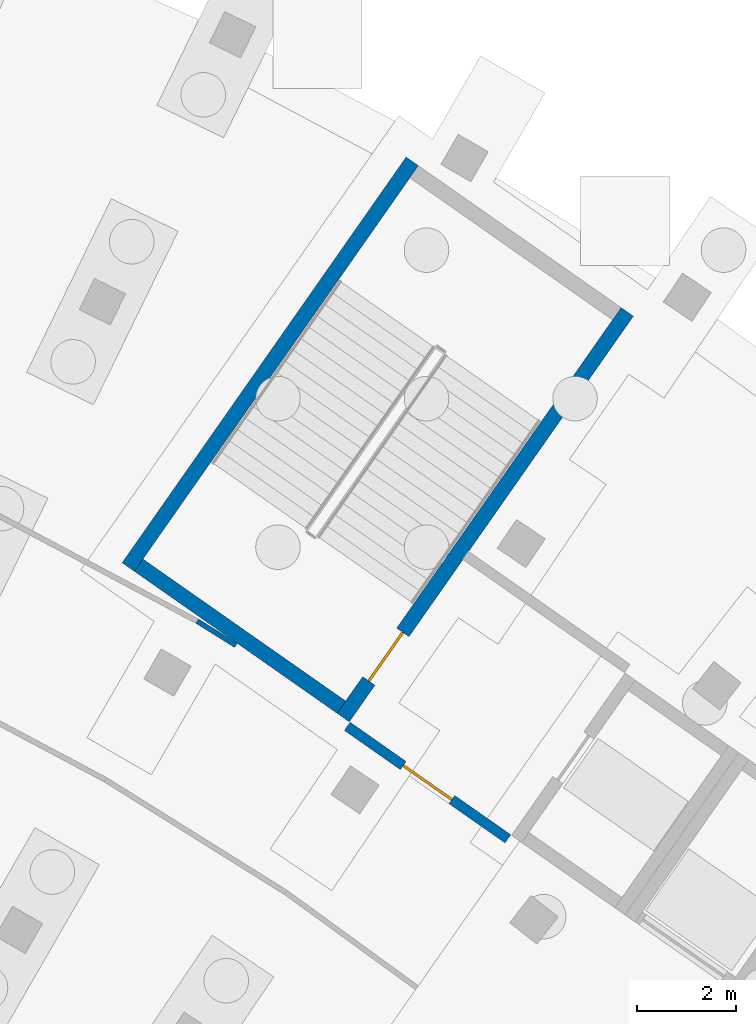
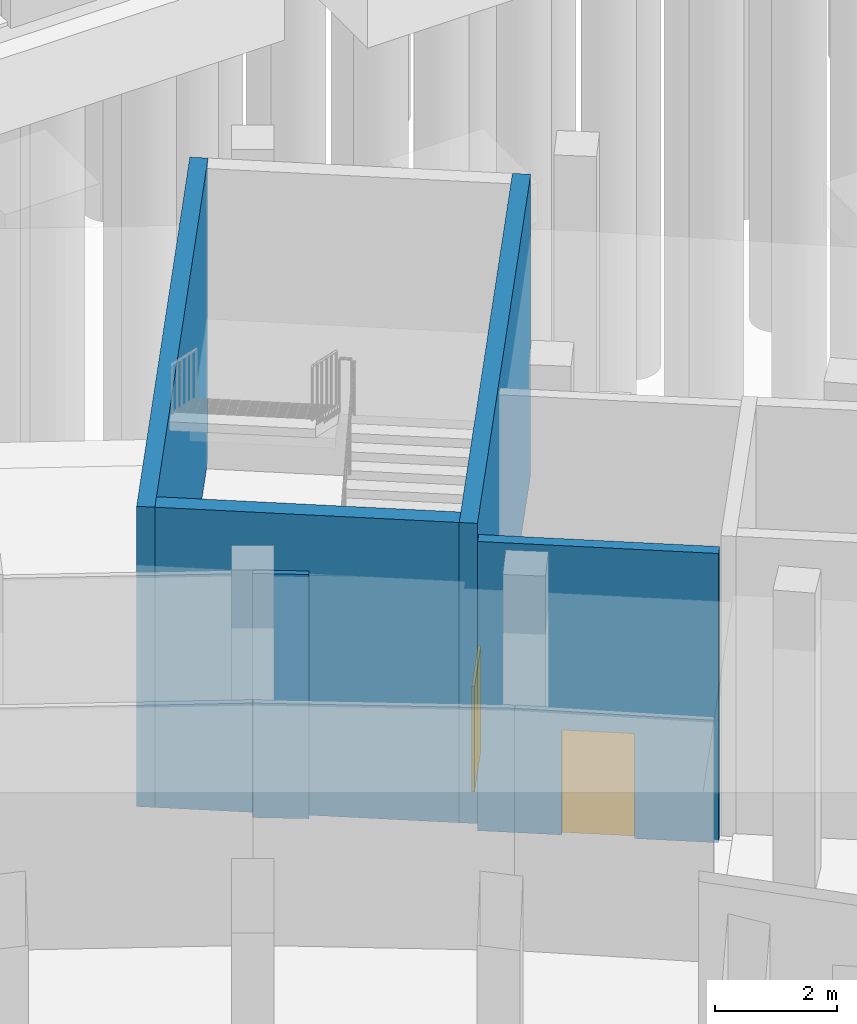
# One storey, part 23 of 66: 5 walls, 2 doors, 2 openings.
"""IFC4 building model written with IfcOpenShell, lengths in metres."""

from ifc_helpers import new_model, si_unit, direction, frame, frame_2d, origin, place, context, subcontext, project, spatial, rectangle, extrude, material, layer, layer_set, type_object, element, fill, save


model = new_model("IFC4")

# Units and contexts
model_context = context("Model", 3, precision=1e-05, world=origin(), true_north=direction((0.0, 1.0)))
body_context = subcontext(model_context, "Body", "Model", "MODEL_VIEW")
ifc_project = project(units=[si_unit("LENGTHUNIT", "METRE"), si_unit("AREAUNIT", "SQUARE_METRE"), si_unit("VOLUMEUNIT", "CUBIC_METRE"), si_unit("PLANEANGLEUNIT", "RADIAN"), si_unit("MASSUNIT", "GRAM", prefix="KILO")], contexts=[model_context])

# Site, building, storey
site_placement = place(None, origin())
site = spatial("IfcSite", under=ifc_project, at=site_placement, CompositionType="ELEMENT")
building_placement = place(site_placement, origin())
building = spatial("IfcBuilding", under=site, at=building_placement, Name="Lunette Opera House", CompositionType="ELEMENT")
storey_placement = place(building_placement, frame((0.0, 0.0, -6.0)))
storey = spatial("IfcBuildingStorey", under=building, at=storey_placement, Name="B1", CompositionType="ELEMENT", Elevation=-6.0)

# Wall, opening, door
ifc_material_1 = material(Name="Concrete C35/45", Category="concrete")
ifc_layer_1 = layer(ifc_material_1, 0.199951171875)
ifc_layer_set_1 = layer_set([ifc_layer_1], Name="Concrete C35/45")
wall_type_1 = type_object("IfcWallType", Name="LOBBY WALL 200", PredefinedType="PARTITIONING", material=ifc_layer_set_1)
wall_1_placement = place(storey_placement, frame((131.632080078125, 54.340087890625, 0.0), z_axis=(0.0, 0.0, 1.0), x_axis=(0.81911891796, -0.573623742744, 0.0)))
wall_1 = element("IfcWall", 1, at=wall_1_placement, inside=storey, type_object=wall_type_1, Name="FL1 lobby wall 1a", PredefinedType="PARTITIONING", context=body_context, shape_type="SweptSolid", body=[
    extrude(rectangle(XDim=3.958984375, YDim=0.199951171875, at=frame_2d((1.9794921875, 0.0))), origin(), (0.0, 0.0, 1.0), 5.780029296875),
])
opening_1_placement = place(wall_1_placement, frame((1.3798828125, 0.0, 0.0)))
opening_1 = element("IfcOpeningElement", 2, at=opening_1_placement, cuts=wall_1, Name="Opening FC-D7037", PredefinedType="OPENING", context=body_context, shape_type="SweptSolid", body=[
    extrude(rectangle(XDim=1.199951171875, YDim=2.10009765625, at=frame_2d((0.60009765625, 1.050048828125))), frame((0.0, 0.112060546875, 0.0), z_axis=(0.0, -1.0, 0.0), x_axis=(1.0, 0.0, 0.0)), (0.0, 0.0, 1.0), 0.223876953125),
])
ifc_material_2 = material(Name="Steel", Category="steel")
door_type = type_object("IfcDoorType", Name="FIRE DOOR 1200 X 2100", OperationType="SINGLE_SWING_LEFT", PredefinedType="DOOR", material=ifc_material_2)
door_1_placement = place(opening_1_placement, origin())
door_1 = element("IfcDoor", 3, at=door_1_placement, inside=storey, type_object=door_type, Name="FL1 lobby door", OperationType="SINGLE_SWING_LEFT", OverallHeight=2.10009765625, OverallWidth=1.199951171875, PredefinedType="DOOR", context=body_context, shape_type="SweptSolid", body=[
    extrude(rectangle(XDim=1.199951171875, YDim=2.10009765625, at=frame_2d((0.60009765625, 1.050048828125))), frame((0.0, 0.02490234375, 0.0), z_axis=(0.0, -1.0, 0.0), x_axis=(1.0, 0.0, 0.0)), (0.0, 0.0, 1.0), 0.050048828125),
])
fill(opening_1, door_1)

# Wall
ifc_material_3 = material(Name="Concrete C35/45", Category="concrete")
ifc_layer_2 = layer(ifc_material_3, 0.300048828125)
ifc_layer_set_2 = layer_set([ifc_layer_2], Name="Concrete C35/45")
wall_type_2 = type_object("IfcWallType", Name="RC STAIR ENCLOSURE WALL 300", PredefinedType="SOLIDWALL", material=ifc_layer_set_2)
wall_2_placement = place(storey_placement, frame((127.41796875, 57.595947265625, 0.0), z_axis=(0.0, 0.0, 1.0), x_axis=(0.819096538389, -0.573655698829, 0.0)))
element("IfcWall", 4, at=wall_2_placement, inside=storey, type_object=wall_type_2, Name="ST3 enclosure wall 1", PredefinedType="SOLIDWALL", context=body_context, shape_type="SweptSolid", body=[
    extrude(rectangle(XDim=4.999267578125, YDim=0.300048828125, at=frame_2d((2.49951171875, 0.0))), origin(), (0.0, 0.0, 1.0), 6.0),
])

# Wall, opening, door
wall_3_placement = place(storey_placement, frame((131.550048828125, 54.51904296875, 0.0), z_axis=(0.0, 0.0, 1.0), x_axis=(0.573563925118, 0.819160804606, 0.0)))
wall_3 = element("IfcWall", 5, at=wall_3_placement, inside=storey, type_object=wall_type_2, Name="ST3 enclosure wall 2", PredefinedType="SOLIDWALL", context=body_context, shape_type="SweptSolid", body=[
    extrude(rectangle(XDim=10.000244140625, YDim=0.300048828125, at=frame_2d((5.0, 0.0))), origin(), (0.0, 0.0, 1.0), 6.0),
])
opening_2_placement = place(wall_3_placement, frame((0.89990234375, 0.0, 0.0)))
opening_2 = element("IfcOpeningElement", 6, at=opening_2_placement, cuts=wall_3, Name="Opening FC-D7019", PredefinedType="OPENING", context=body_context, shape_type="SweptSolid", body=[
    extrude(rectangle(XDim=1.199951171875, YDim=2.10009765625, at=frame_2d((0.60009765625, 1.050048828125))), frame((0.0, 0.162109375, 0.0), z_axis=(0.0, -1.0, 0.0), x_axis=(1.0, 0.0, 0.0)), (0.0, 0.0, 1.0), 0.323974609375),
])
door_2_placement = place(opening_2_placement, origin())
door_2 = element("IfcDoor", 7, at=door_2_placement, inside=storey, type_object=door_type, Name="ST3 stair door", OperationType="SINGLE_SWING_LEFT", OverallHeight=2.10009765625, OverallWidth=1.199951171875, PredefinedType="DOOR", context=body_context, shape_type="SweptSolid", body=[
    extrude(rectangle(XDim=1.199951171875, YDim=2.10009765625, at=frame_2d((0.60009765625, 1.050048828125))), frame((0.0, 0.02490234375, 0.0), z_axis=(0.0, -1.0, 0.0), x_axis=(1.0, 0.0, 0.0)), (0.0, 0.0, 1.0), 0.050048828125),
])
fill(opening_2, door_2)

# Walls
wall_4_placement = place(storey_placement, frame((132.944091796875, 65.7509765625, 0.0), z_axis=(0.0, 0.0, 1.0), x_axis=(-0.573514776444, -0.819195215563, 0.0)))
element("IfcWall", 8, at=wall_4_placement, inside=storey, type_object=wall_type_2, Name="ST3 enclosure wall 4", PredefinedType="SOLIDWALL", context=body_context, shape_type="SweptSolid", body=[
    extrude(rectangle(XDim=10.0, YDim=0.300048828125, at=frame_2d((5.0, 0.0))), origin(), (0.0, 0.0, 1.0), 6.0),
])
ifc_material_4 = material(Name="Gypsum board on steel studs", Category="steel")
ifc_layer_3 = layer(ifc_material_4, 0.10009765625)
ifc_layer_set_3 = layer_set([ifc_layer_3], Name="Gypsum board on steel studs")
wall_type_3 = type_object("IfcWallType", Name="STUD PARTITION 100", PredefinedType="PARTITIONING", material=ifc_layer_set_3)
wall_5_placement = place(storey_placement, frame((129.381103515625, 55.97705078125, 0.0), z_axis=(0.0, 0.0, 1.0), x_axis=(-0.848042980139, 0.529927451484, 0.0)))
element("IfcWall", 9, at=wall_5_placement, inside=storey, type_object=wall_type_3, Name="Partition Lower Foyer", PredefinedType="PARTITIONING", context=body_context, shape_type="SweptSolid", body=[
    extrude(rectangle(XDim=0.9208984375, YDim=0.10009765625, at=frame_2d((0.46044921875, 0.0))), origin(), (0.0, 0.0, 1.0), 4.8798828125),
])

save(model, "model.ifc")
